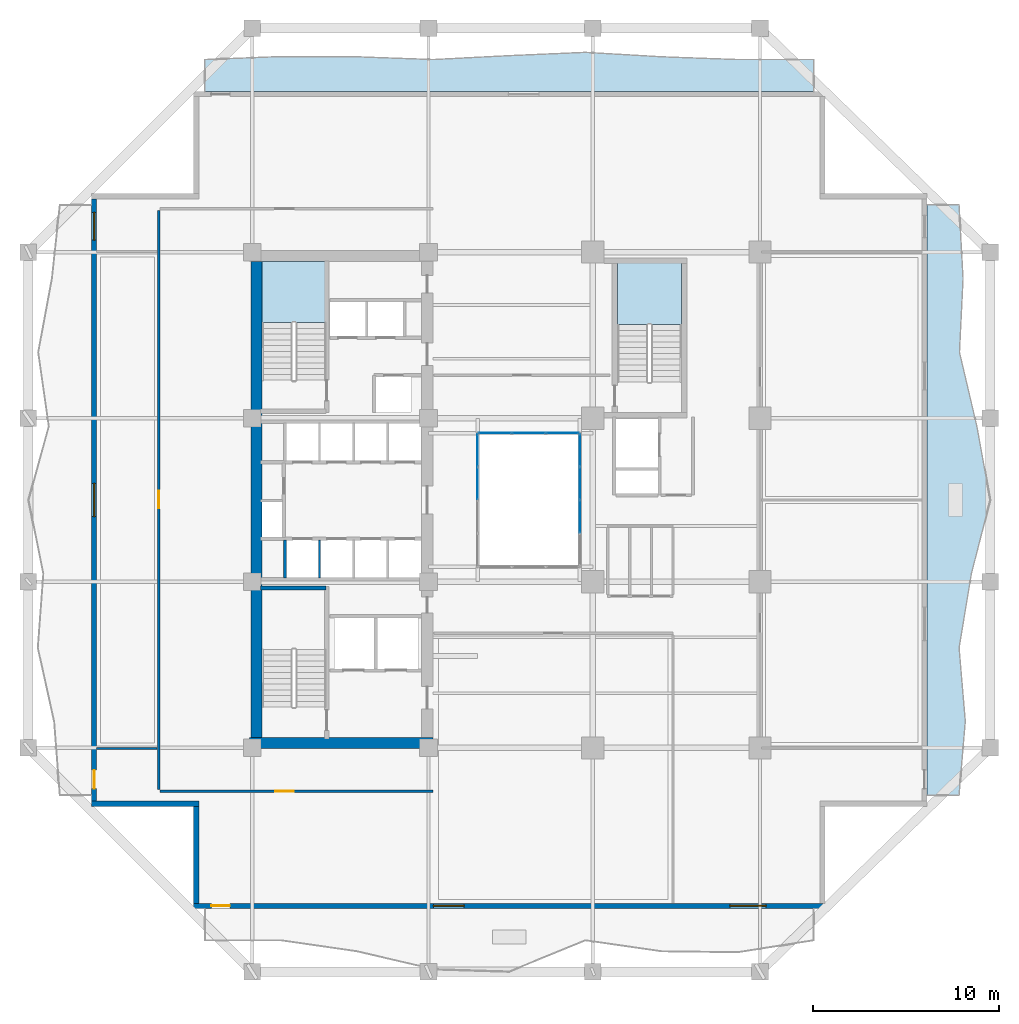
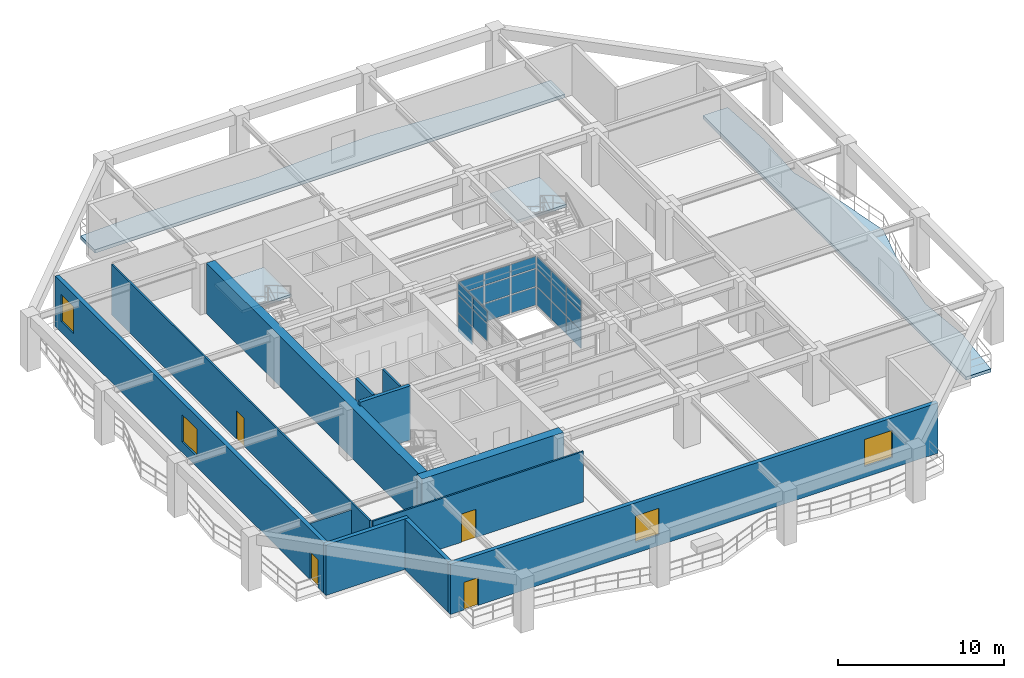
# One storey, part 6 of 17: 23 plates, 12 walls, 4 doors, 4 slabs, 4 windows, 8 openings, 5 elements without a shape of their own.
"""IFC4 building model written with IfcOpenShell, lengths in metres."""

from ifc_helpers import new_model, si_unit, direction, frame, frame_2d, origin, origin_2d, place, context, subcontext, project, spatial, polyline, rectangle, outline, extrude, material, layer, layer_set, type_object, element, fill, aggregate, save


model = new_model("IFC4")

# Units and contexts
model_context = context("Model", 3, precision=1e-05, world=origin(), true_north=direction((0.0, 1.0)))
body_context = subcontext(model_context, "Body", "Model", "MODEL_VIEW")
ifc_project = project(units=[si_unit("LENGTHUNIT", "METRE"), si_unit("AREAUNIT", "SQUARE_METRE"), si_unit("VOLUMEUNIT", "CUBIC_METRE"), si_unit("PLANEANGLEUNIT", "RADIAN"), si_unit("MASSUNIT", "GRAM", prefix="KILO")], contexts=[model_context])

# Site, building, storey
site_placement = place(None, origin())
site = spatial("IfcSite", under=ifc_project, at=site_placement, CompositionType="ELEMENT")
building_placement = place(site_placement, origin())
building = spatial("IfcBuilding", under=site, at=building_placement, Name="Kundavana Baori Tower", CompositionType="ELEMENT")
storey_placement = place(building_placement, frame((0.0, 0.0, 30.0)))
storey = spatial("IfcBuildingStorey", under=building, at=storey_placement, Name="L06", CompositionType="ELEMENT", Elevation=30.0)

# Curtain wall, plates
ifc_material_1 = material(Name="Thermally Broken Anodised Aluminium Framing", Category="aluminium")
ifc_layer_1 = layer(ifc_material_1, 0.18994140625, Name="CW-SYS-3")
ifc_layer_set_1 = layer_set([ifc_layer_1], Name="Thermally Broken Anodised Aluminium Framing")
curtain_wall_type = type_object("IfcCurtainWallType", Name="CW-SYS-3", PredefinedType="NOTDEFINED", material=ifc_layer_set_1)
curtain_wall_1_placement = place(storey_placement, origin())
curtain_wall_1 = element("IfcCurtainWall", 1, at=curtain_wall_1_placement, inside=storey, type_object=curtain_wall_type, Name="L06 Atrium Glazed Curtain Wall E", PredefinedType="NOTDEFINED")
ifc_material_2 = material(Name="Double-Glazed Solar-Control Low-E Insulated Glass", Category="glass")
ifc_layer_2 = layer(ifc_material_2, 0.028076171875, Name="CW-PNL-GLS28")
ifc_layer_set_2 = layer_set([ifc_layer_2], Name="Double-Glazed Solar-Control Low-E Insulated Glass")
plate_type = type_object("IfcPlateType", Name="CW-PNL-GLS28", PredefinedType="CURTAIN_PANEL", material=ifc_layer_set_2)
plate_1_placement = place(storey_placement, frame((33.10009765625, 27.699951171875, 0.06494140625), z_axis=(0.0, 0.0, 1.0), x_axis=(0.0, 1.0, 0.0)))
plate_1 = element("IfcPlate", 2, at=plate_1_placement, type_object=plate_type, Name="CW3 panel 2.1", PredefinedType="CURTAIN_PANEL", context=body_context, shape_type="SweptSolid", body=[
    extrude(rectangle(XDim=1.735107421875, YDim=0.028076171875, at=origin_2d()), origin(), (0.0, 0.0, 1.0), 1.316162109375),
])
plate_2_placement = place(storey_placement, frame((33.10009765625, 27.699951171875, 1.4462890625), z_axis=(0.0, 0.0, 1.0), x_axis=(0.0, 1.0, 0.0)))
plate_2 = element("IfcPlate", 3, at=plate_2_placement, type_object=plate_type, Name="CW3 panel 2.2", PredefinedType="CURTAIN_PANEL", context=body_context, shape_type="SweptSolid", body=[
    extrude(rectangle(XDim=1.735107421875, YDim=0.028076171875, at=origin_2d()), origin(), (0.0, 0.0, 1.0), 1.274169921875),
])
plate_3_placement = place(storey_placement, frame((33.10009765625, 27.699951171875, 2.785400390625), z_axis=(0.0, 0.0, 1.0), x_axis=(0.0, 1.0, 0.0)))
plate_3 = element("IfcPlate", 4, at=plate_3_placement, type_object=plate_type, Name="CW3 panel 2.3", PredefinedType="CURTAIN_PANEL", context=body_context, shape_type="SweptSolid", body=[
    extrude(rectangle(XDim=1.735107421875, YDim=0.028076171875, at=origin_2d()), origin(), (0.0, 0.0, 1.0), 0.86962890625),
])
plate_4_placement = place(storey_placement, frame((33.10009765625, 29.5, 0.06494140625), z_axis=(0.0, 0.0, 1.0), x_axis=(0.0, 1.0, 0.0)))
plate_4 = element("IfcPlate", 5, at=plate_4_placement, type_object=plate_type, Name="CW3 panel 3.1", PredefinedType="CURTAIN_PANEL", context=body_context, shape_type="SweptSolid", body=[
    extrude(rectangle(XDim=1.735107421875, YDim=0.028076171875, at=origin_2d()), origin(), (0.0, 0.0, 1.0), 1.316162109375),
])
plate_5_placement = place(storey_placement, frame((33.10009765625, 29.5, 1.4462890625), z_axis=(0.0, 0.0, 1.0), x_axis=(0.0, 1.0, 0.0)))
plate_5 = element("IfcPlate", 6, at=plate_5_placement, type_object=plate_type, Name="CW3 panel 3.2", PredefinedType="CURTAIN_PANEL", context=body_context, shape_type="SweptSolid", body=[
    extrude(rectangle(XDim=1.735107421875, YDim=0.028076171875, at=origin_2d()), origin(), (0.0, 0.0, 1.0), 1.274169921875),
])
plate_6_placement = place(storey_placement, frame((33.10009765625, 29.5, 2.785400390625), z_axis=(0.0, 0.0, 1.0), x_axis=(0.0, 1.0, 0.0)))
plate_6 = element("IfcPlate", 7, at=plate_6_placement, type_object=plate_type, Name="CW3 panel 3.3", PredefinedType="CURTAIN_PANEL", context=body_context, shape_type="SweptSolid", body=[
    extrude(rectangle(XDim=1.735107421875, YDim=0.028076171875, at=origin_2d()), origin(), (0.0, 0.0, 1.0), 0.86962890625),
])
plate_7_placement = place(storey_placement, frame((33.10009765625, 31.28369140625, 0.06494140625), z_axis=(0.0, 0.0, 1.0), x_axis=(0.0, 1.0, 0.0)))
plate_7 = element("IfcPlate", 8, at=plate_7_placement, type_object=plate_type, Name="CW3 panel 4.1", PredefinedType="CURTAIN_PANEL", context=body_context, shape_type="SweptSolid", body=[
    extrude(rectangle(XDim=1.702392578125, YDim=0.028076171875, at=origin_2d()), origin(), (0.0, 0.0, 1.0), 1.316162109375),
])
plate_8_placement = place(storey_placement, frame((33.10009765625, 31.28369140625, 1.4462890625), z_axis=(0.0, 0.0, 1.0), x_axis=(0.0, 1.0, 0.0)))
plate_8 = element("IfcPlate", 9, at=plate_8_placement, type_object=plate_type, Name="CW3 panel 4.2", PredefinedType="CURTAIN_PANEL", context=body_context, shape_type="SweptSolid", body=[
    extrude(rectangle(XDim=1.702392578125, YDim=0.028076171875, at=origin_2d()), origin(), (0.0, 0.0, 1.0), 1.274169921875),
])
plate_9_placement = place(storey_placement, frame((33.10009765625, 31.28369140625, 2.785400390625), z_axis=(0.0, 0.0, 1.0), x_axis=(0.0, 1.0, 0.0)))
plate_9 = element("IfcPlate", 10, at=plate_9_placement, type_object=plate_type, Name="CW3 panel 4.3", PredefinedType="CURTAIN_PANEL", context=body_context, shape_type="SweptSolid", body=[
    extrude(rectangle(XDim=1.702392578125, YDim=0.028076171875, at=origin_2d()), origin(), (0.0, 0.0, 1.0), 0.86962890625),
])
aggregate(curtain_wall_1, [plate_1, plate_2, plate_3, plate_4, plate_5, plate_6, plate_7, plate_8, plate_9])

curtain_wall_2_placement = place(storey_placement, origin())
curtain_wall_2 = element("IfcCurtainWall", 11, at=curtain_wall_2_placement, inside=storey, type_object=curtain_wall_type, Name="L06 Atrium Glazed Curtain Wall N", PredefinedType="NOTDEFINED")
plate_10_placement = place(storey_placement, frame((32.1669921875, 32.199951171875, 0.06494140625), z_axis=(0.0, 0.0, 1.0), x_axis=(-1.0, 0.0, 0.0)))
plate_10 = element("IfcPlate", 12, at=plate_10_placement, type_object=plate_type, Name="CW3 panel 1.1", PredefinedType="CURTAIN_PANEL", context=body_context, shape_type="SweptSolid", body=[
    extrude(rectangle(XDim=1.73583984375, YDim=0.028076171875, at=origin_2d()), origin(), (0.0, 0.0, 1.0), 1.316162109375),
])
plate_11_placement = place(storey_placement, frame((32.1669921875, 32.199951171875, 1.4462890625), z_axis=(0.0, 0.0, 1.0), x_axis=(-1.0, 0.0, 0.0)))
plate_11 = element("IfcPlate", 13, at=plate_11_placement, type_object=plate_type, Name="CW3 panel 1.2", PredefinedType="CURTAIN_PANEL", context=body_context, shape_type="SweptSolid", body=[
    extrude(rectangle(XDim=1.73583984375, YDim=0.028076171875, at=origin_2d()), origin(), (0.0, 0.0, 1.0), 1.274169921875),
])
plate_12_placement = place(storey_placement, frame((32.1669921875, 32.199951171875, 2.785400390625), z_axis=(0.0, 0.0, 1.0), x_axis=(-1.0, 0.0, 0.0)))
plate_12 = element("IfcPlate", 14, at=plate_12_placement, type_object=plate_type, Name="CW3 panel 1.3", PredefinedType="CURTAIN_PANEL", context=body_context, shape_type="SweptSolid", body=[
    extrude(rectangle(XDim=1.73583984375, YDim=0.028076171875, at=origin_2d()), origin(), (0.0, 0.0, 1.0), 0.86962890625),
])
plate_13_placement = place(storey_placement, frame((30.35009765625, 32.199951171875, 0.06494140625), z_axis=(0.0, 0.0, 1.0), x_axis=(-1.0, 0.0, 0.0)))
plate_13 = element("IfcPlate", 15, at=plate_13_placement, type_object=plate_type, Name="CW3 panel 2.1", PredefinedType="CURTAIN_PANEL", context=body_context, shape_type="SweptSolid", body=[
    extrude(rectangle(XDim=1.768310546875, YDim=0.028076171875, at=origin_2d()), origin(), (0.0, 0.0, 1.0), 1.316162109375),
])
plate_14_placement = place(storey_placement, frame((30.35009765625, 32.199951171875, 1.4462890625), z_axis=(0.0, 0.0, 1.0), x_axis=(-1.0, 0.0, 0.0)))
plate_14 = element("IfcPlate", 16, at=plate_14_placement, type_object=plate_type, Name="CW3 panel 2.2", PredefinedType="CURTAIN_PANEL", context=body_context, shape_type="SweptSolid", body=[
    extrude(rectangle(XDim=1.768310546875, YDim=0.028076171875, at=origin_2d()), origin(), (0.0, 0.0, 1.0), 1.274169921875),
])
plate_15_placement = place(storey_placement, frame((30.35009765625, 32.199951171875, 2.785400390625), z_axis=(0.0, 0.0, 1.0), x_axis=(-1.0, 0.0, 0.0)))
plate_15 = element("IfcPlate", 17, at=plate_15_placement, type_object=plate_type, Name="CW3 panel 2.3", PredefinedType="CURTAIN_PANEL", context=body_context, shape_type="SweptSolid", body=[
    extrude(rectangle(XDim=1.768310546875, YDim=0.028076171875, at=origin_2d()), origin(), (0.0, 0.0, 1.0), 0.86962890625),
])
plate_16_placement = place(storey_placement, frame((28.532958984375, 32.199951171875, 0.06494140625), z_axis=(0.0, 0.0, 1.0), x_axis=(-1.0, 0.0, 0.0)))
plate_16 = element("IfcPlate", 18, at=plate_16_placement, type_object=plate_type, Name="CW3 panel 3.1", PredefinedType="CURTAIN_PANEL", context=body_context, shape_type="SweptSolid", body=[
    extrude(rectangle(XDim=1.73583984375, YDim=0.028076171875, at=origin_2d()), origin(), (0.0, 0.0, 1.0), 1.316162109375),
])
plate_17_placement = place(storey_placement, frame((28.532958984375, 32.199951171875, 1.4462890625), z_axis=(0.0, 0.0, 1.0), x_axis=(-1.0, 0.0, 0.0)))
plate_17 = element("IfcPlate", 19, at=plate_17_placement, type_object=plate_type, Name="CW3 panel 3.2", PredefinedType="CURTAIN_PANEL", context=body_context, shape_type="SweptSolid", body=[
    extrude(rectangle(XDim=1.73583984375, YDim=0.028076171875, at=origin_2d()), origin(), (0.0, 0.0, 1.0), 1.274169921875),
])
plate_18_placement = place(storey_placement, frame((28.532958984375, 32.199951171875, 2.785400390625), z_axis=(0.0, 0.0, 1.0), x_axis=(-1.0, 0.0, 0.0)))
plate_18 = element("IfcPlate", 20, at=plate_18_placement, type_object=plate_type, Name="CW3 panel 3.3", PredefinedType="CURTAIN_PANEL", context=body_context, shape_type="SweptSolid", body=[
    extrude(rectangle(XDim=1.73583984375, YDim=0.028076171875, at=origin_2d()), origin(), (0.0, 0.0, 1.0), 0.86962890625),
])
aggregate(curtain_wall_2, [plate_10, plate_11, plate_12, plate_13, plate_14, plate_15, plate_16, plate_17, plate_18])

curtain_wall_3_placement = place(storey_placement, origin())
curtain_wall_3 = element("IfcCurtainWall", 21, at=curtain_wall_3_placement, inside=storey, type_object=curtain_wall_type, Name="L06 Atrium Glazed Curtain Wall W", PredefinedType="NOTDEFINED")
plate_19_placement = place(storey_placement, frame((27.60009765625, 31.28369140625, 0.06494140625), z_axis=(0.0, 0.0, 1.0), x_axis=(0.0, -1.0, 0.0)))
plate_19 = element("IfcPlate", 22, at=plate_19_placement, type_object=plate_type, Name="CW3 panel 1.1", PredefinedType="CURTAIN_PANEL", context=body_context, shape_type="SweptSolid", body=[
    extrude(rectangle(XDim=1.702392578125, YDim=0.028076171875, at=origin_2d()), origin(), (0.0, 0.0, 1.0), 1.316162109375),
])
plate_20_placement = place(storey_placement, frame((27.60009765625, 31.28369140625, 1.4462890625), z_axis=(0.0, 0.0, 1.0), x_axis=(0.0, -1.0, 0.0)))
plate_20 = element("IfcPlate", 23, at=plate_20_placement, type_object=plate_type, Name="CW3 panel 1.2", PredefinedType="CURTAIN_PANEL", context=body_context, shape_type="SweptSolid", body=[
    extrude(rectangle(XDim=1.702392578125, YDim=0.028076171875, at=origin_2d()), origin(), (0.0, 0.0, 1.0), 1.274169921875),
])
plate_21_placement = place(storey_placement, frame((27.60009765625, 31.28369140625, 2.785400390625), z_axis=(0.0, 0.0, 1.0), x_axis=(0.0, -1.0, 0.0)))
plate_21 = element("IfcPlate", 24, at=plate_21_placement, type_object=plate_type, Name="CW3 panel 1.3", PredefinedType="CURTAIN_PANEL", context=body_context, shape_type="SweptSolid", body=[
    extrude(rectangle(XDim=1.702392578125, YDim=0.028076171875, at=origin_2d()), origin(), (0.0, 0.0, 1.0), 0.86962890625),
])
plate_22_placement = place(storey_placement, frame((27.60009765625, 29.5, 1.4462890625), z_axis=(0.0, 0.0, 1.0), x_axis=(0.0, -1.0, 0.0)))
plate_22 = element("IfcPlate", 25, at=plate_22_placement, type_object=plate_type, Name="CW3 panel 2.2", PredefinedType="CURTAIN_PANEL", context=body_context, shape_type="SweptSolid", body=[
    extrude(rectangle(XDim=1.735107421875, YDim=0.028076171875, at=origin_2d()), origin(), (0.0, 0.0, 1.0), 1.274169921875),
])
plate_23_placement = place(storey_placement, frame((27.60009765625, 29.5, 2.785400390625), z_axis=(0.0, 0.0, 1.0), x_axis=(0.0, -1.0, 0.0)))
plate_23 = element("IfcPlate", 26, at=plate_23_placement, type_object=plate_type, Name="CW3 panel 2.3", PredefinedType="CURTAIN_PANEL", context=body_context, shape_type="SweptSolid", body=[
    extrude(rectangle(XDim=1.735107421875, YDim=0.028076171875, at=origin_2d()), origin(), (0.0, 0.0, 1.0), 0.86962890625),
])
aggregate(curtain_wall_3, [plate_19, plate_20, plate_21, plate_22, plate_23])

# Stair, slab
ifc_material_3 = material(Name="Concrete C40/50", Category="concrete")
stair_type = type_object("IfcStairType", Name="STR-DOG-1650", PredefinedType="HALF_TURN_STAIR", material=ifc_material_3)
stair_1_placement = place(storey_placement, origin())
stair_1 = element("IfcStair", 27, at=stair_1_placement, inside=storey, type_object=stair_type, Name="L06 Protected Exit Stair ST2", PredefinedType="HALF_TURN_STAIR")
ifc_material_4 = material(Name="Concrete C40/50", Category="concrete")
ifc_layer_3 = layer(ifc_material_4, 0.199951171875, Name="SLB-LND-200")
ifc_layer_set_3 = layer_set([ifc_layer_3], Name="Concrete C40/50")
slab_type_1 = type_object("IfcSlabType", Name="SLB-LND-200", PredefinedType="LANDING", material=ifc_layer_set_3)
slab_1_placement = place(storey_placement, frame((0.0, 0.0, 1.800048828125)))
slab_1 = element("IfcSlab", 28, at=slab_1_placement, type_object=slab_type_1, Name="ST2 landing 1", PredefinedType="LANDING", context=body_context, shape_type="SweptSolid", body=[
    extrude(outline(polyline([(19.43994140625, 38.14990234375), (19.43994140625, 41.449951171875), (15.97998046875, 41.449951171875), (15.97998046875, 38.14990234375), (19.43994140625, 38.14990234375)])), origin(), (0.0, 0.0, 1.0), 0.199951171875),
])
aggregate(stair_1, [slab_1])

stair_2_placement = place(storey_placement, origin())
stair_2 = element("IfcStair", 29, at=stair_2_placement, inside=storey, type_object=stair_type, Name="L06 Protected Exit Stair ST3", PredefinedType="HALF_TURN_STAIR")
slab_2_placement = place(storey_placement, frame((0.0, 0.0, 1.800048828125)))
slab_2 = element("IfcSlab", 30, at=slab_2_placement, type_object=slab_type_1, Name="ST3 landing 1", PredefinedType="LANDING", context=body_context, shape_type="SweptSolid", body=[
    extrude(outline(polyline([(38.580078125, 38.050048828125), (38.580078125, 41.35009765625), (35.1201171875, 41.35009765625), (35.1201171875, 38.050048828125), (38.580078125, 38.050048828125)])), origin(), (0.0, 0.0, 1.0), 0.199951171875),
])
aggregate(stair_2, [slab_2])

# Slabs
ifc_material_5 = material(Name="Concrete C40/50", Category="concrete")
ifc_layer_4 = layer(ifc_material_5, 0.239990234375, Name="SLB-LOG-240")
ifc_layer_set_4 = layer_set([ifc_layer_4], Name="Concrete C40/50")
slab_type_2 = type_object("IfcSlabType", Name="SLB-LOG-240", PredefinedType="FLOOR", material=ifc_layer_set_4)
slab_3_placement = place(storey_placement, frame((0.0, 0.0, -0.239990234375)))
element("IfcSlab", 31, at=slab_3_placement, inside=storey, type_object=slab_type_2, Name="L06 Planted Loggia Balcony Slab E", PredefinedType="FLOOR", context=body_context, shape_type="SweptSolid", body=[
    extrude(outline(polyline([(51.800048828125, 12.699951171875), (51.800048828125, 44.5), (53.52001953125, 44.5), (53.736083984375, 40.52490234375), (53.5439453125, 36.550048828125), (54.47998046875, 32.574951171875), (55.199951171875, 28.60009765625), (54.18505859375, 24.625), (53.52294921875, 20.64990234375), (53.85693359375, 16.675048828125), (53.52001953125, 12.699951171875), (51.800048828125, 12.699951171875)])), origin(), (0.0, 0.0, 1.0), 0.239990234375),
])
slab_4_placement = place(storey_placement, frame((0.0, 0.0, -0.239990234375)))
element("IfcSlab", 32, at=slab_4_placement, inside=storey, type_object=slab_type_2, Name="L06 Planted Loggia Balcony Slab N", PredefinedType="FLOOR", context=body_context, shape_type="SweptSolid", body=[
    extrude(outline(polyline([(45.699951171875, 50.60009765625), (12.89990234375, 50.60009765625), (12.89990234375, 52.320068359375), (17.0, 52.48095703125), (21.10009765625, 52.468017578125), (25.199951171875, 52.320068359375), (29.300048828125, 52.530029296875), (33.39990234375, 52.7080078125), (37.5, 52.468017578125), (41.60009765625, 52.320068359375), (45.699951171875, 52.320068359375), (45.699951171875, 50.60009765625)])), origin(), (0.0, 0.0, 1.0), 0.239990234375),
])

# Walls
ifc_material_6 = material(Name="Concrete C50/60", Category="concrete")
ifc_layer_5 = layer(ifc_material_6, 0.39990234375, Name="WL-CORE-400")
ifc_layer_set_5 = layer_set([ifc_layer_5], Name="Concrete C50/60")
wall_type_1 = type_object("IfcWallType", Name="WL-CORE-400", PredefinedType="SHEAR", material=ifc_layer_set_5)
wall_1_placement = place(storey_placement, frame((15.89990234375, 23.860107421875, 0.0), z_axis=(0.0, 0.0, 1.0), x_axis=(1.0, 0.0, 0.0)))
element("IfcWall", 33, at=wall_1_placement, inside=storey, type_object=wall_type_1, Name="WL-L06-ST1-N", PredefinedType="SHEAR", context=body_context, shape_type="SweptSolid", body=[
    extrude(rectangle(XDim=3.52001953125, YDim=0.239990234375, at=frame_2d((1.760009765625, 0.0))), origin(), (0.0, 0.0, 1.0), 4.0),
])
ifc_material_7 = material(Name="Concrete C60/75", Category="concrete")
ifc_layer_6 = layer(ifc_material_7, 0.60009765625, Name="WL-CORE-600")
ifc_layer_set_6 = layer_set([ifc_layer_6], Name="Concrete C60/75")
wall_type_2 = type_object("IfcWallType", Name="WL-CORE-600", PredefinedType="SHEAR", material=ifc_layer_set_6)
wall_2_placement = place(storey_placement, frame((15.300048828125, 15.510009765625, 0.0), z_axis=(0.0, 0.0, 1.0), x_axis=(1.0, 0.0, 0.0)))
element("IfcWall", 34, at=wall_2_placement, inside=storey, type_object=wall_type_2, Name="L06 Offset Core South Shear Wall", PredefinedType="SHEAR", context=body_context, shape_type="SweptSolid", body=[
    extrude(rectangle(XDim=9.8798828125, YDim=0.60009765625, at=frame_2d((4.93994140625, 0.0))), origin(), (0.0, 0.0, 1.0), 3.719970703125),
])
wall_3_placement = place(storey_placement, frame((15.68994140625, 15.81005859375, 0.0), z_axis=(0.0, 0.0, 1.0), x_axis=(0.0, 1.0, 0.0)))
element("IfcWall", 35, at=wall_3_placement, inside=storey, type_object=wall_type_2, Name="L06 Offset Core West Shear Wall", PredefinedType="SHEAR", context=body_context, shape_type="SweptSolid", body=[
    extrude(rectangle(XDim=25.6298828125, YDim=0.60009765625, at=frame_2d((12.81494140625, 0.0))), origin(), (0.0, 0.0, 1.0), 3.719970703125),
])

# Wall, openings, door, windows
ifc_material_8 = material(Name="Red-Buff Dholpur Sandstone Cladding on Concrete C40/50", Category="masonry")
ifc_layer_7 = layer(ifc_material_8, 0.280029296875, Name="WL-EXT-SAND-280")
ifc_layer_set_7 = layer_set([ifc_layer_7], Name="Red-Buff Dholpur Sandstone Cladding on Concrete C40/50")
wall_type_3 = type_object("IfcWallType", Name="WL-EXT-SAND-280", PredefinedType="STANDARD", material=ifc_layer_set_7)
wall_4_placement = place(storey_placement, frame((12.300048828125, 6.739990234375, 0.0), z_axis=(0.0, 0.0, 1.0), x_axis=(1.0, 0.0, 0.0)))
wall_4 = element("IfcWall", 36, at=wall_4_placement, inside=storey, type_object=wall_type_3, Name="L06 Exterior Insulated Facade Wall 01", PredefinedType="STANDARD", context=body_context, shape_type="SweptSolid", body=[
    extrude(rectangle(XDim=34.0, YDim=0.280029296875, at=frame_2d((17.0, 0.0))), origin(), (0.0, 0.0, 1.0), 3.719970703125),
])
opening_1_placement = place(wall_4_placement, frame((0.949951171875, 0.0, 0.0)))
opening_1 = element("IfcOpeningElement", 37, at=opening_1_placement, cuts=wall_4, Name="Opening BD-1", PredefinedType="OPENING", context=body_context, shape_type="SweptSolid", body=[
    extrude(rectangle(XDim=1.0, YDim=2.050048828125, at=frame_2d((0.5, 1.02490234375))), frame((0.0, 0.14990234375, 0.0), z_axis=(0.0, -1.0, 0.0), x_axis=(1.0, 0.0, 0.0)), (0.0, 0.0, 1.0), 0.300048828125),
])
opening_2_placement = place(wall_4_placement, frame((12.9150390625, 0.0, 0.800048828125)))
opening_2 = element("IfcOpeningElement", 38, at=opening_2_placement, cuts=wall_4, Name="Opening W-08", PredefinedType="OPENING", context=body_context, shape_type="SweptSolid", body=[
    extrude(rectangle(XDim=1.64990234375, YDim=1.949951171875, at=frame_2d((0.824951171875, 0.97509765625))), frame((0.0, 0.14990234375, 0.0), z_axis=(0.0, -1.0, 0.0), x_axis=(1.0, 0.0, 0.0)), (0.0, 0.0, 1.0), 0.300048828125),
])
opening_3_placement = place(wall_4_placement, frame((28.8798828125, 0.0, 0.800048828125)))
opening_3 = element("IfcOpeningElement", 39, at=opening_3_placement, cuts=wall_4, Name="Opening W-09", PredefinedType="OPENING", context=body_context, shape_type="SweptSolid", body=[
    extrude(rectangle(XDim=1.949951171875, YDim=2.0, at=frame_2d((0.97509765625, 1.0))), frame((0.0, 0.14990234375, 0.0), z_axis=(0.0, -1.0, 0.0), x_axis=(1.0, 0.0, 0.0)), (0.0, 0.0, 1.0), 0.300048828125),
])
ifc_material_9 = material(Name="Architectural Patinated Bronze Metalwork")
door_type_1 = type_object("IfcDoorType", Name="DR-EXT-LOG-1000", OperationType="NOTDEFINED", PredefinedType="DOOR", material=ifc_material_9)
door_1_placement = place(opening_1_placement, frame((1.0, 0.0, 0.0), z_axis=(0.0, 0.0, 1.0), x_axis=(-1.0, 0.0, 0.0)))
door_1 = element("IfcDoor", 40, at=door_1_placement, inside=storey, type_object=door_type_1, Name="L06 Loggia Balcony Access Door S", OperationType="SINGLE_SWING_LEFT", OverallHeight=2.050048828125, OverallWidth=1.0, PredefinedType="DOOR", context=body_context, shape_type="SweptSolid", body=[
    extrude(rectangle(XDim=1.0, YDim=2.050048828125, at=frame_2d((0.5, 1.02490234375))), frame((0.0, 0.02490234375, 0.0), z_axis=(0.0, -1.0, 0.0), x_axis=(1.0, 0.0, 0.0)), (0.0, 0.0, 1.0), 0.050048828125),
])
fill(opening_1, door_1)
ifc_material_10 = material(Name="Double-Glazed Solar-Control Low-E Insulated Glass", Category="glass")
window_type_1 = type_object("IfcWindowType", Name="WIN-LOG-1650x1950", PartitioningType="SINGLE_PANEL", PredefinedType="WINDOW", material=ifc_material_10)
window_1_placement = place(opening_2_placement, origin())
window_1 = element("IfcWindow", 41, at=window_1_placement, inside=storey, type_object=window_type_1, Name="L06 Recessed Loggia Window S-1", OverallHeight=1.949951171875, OverallWidth=1.64990234375, PartitioningType="SINGLE_PANEL", PredefinedType="WINDOW", context=body_context, shape_type="SweptSolid", body=[
    extrude(rectangle(XDim=1.64990234375, YDim=1.949951171875, at=frame_2d((0.824951171875, 0.97509765625))), frame((0.0, 0.030029296875, 0.0), z_axis=(0.0, -1.0, 0.0), x_axis=(1.0, 0.0, 0.0)), (0.0, 0.0, 1.0), 0.06005859375),
])
fill(opening_2, window_1)
ifc_material_11 = material(Name="Double-Glazed Solar-Control Low-E Insulated Glass", Category="glass")
window_type_2 = type_object("IfcWindowType", Name="WIN-LOG-1950x2000", PartitioningType="SINGLE_PANEL", PredefinedType="WINDOW", material=ifc_material_11)
window_2_placement = place(opening_3_placement, origin())
window_2 = element("IfcWindow", 42, at=window_2_placement, inside=storey, type_object=window_type_2, Name="L06 Recessed Loggia Window S-2", OverallHeight=2.0, OverallWidth=1.949951171875, PartitioningType="SINGLE_PANEL", PredefinedType="WINDOW", context=body_context, shape_type="SweptSolid", body=[
    extrude(rectangle(XDim=1.949951171875, YDim=2.0, at=frame_2d((0.97509765625, 1.0))), frame((0.0, 0.030029296875, 0.0), z_axis=(0.0, -1.0, 0.0), x_axis=(1.0, 0.0, 0.0)), (0.0, 0.0, 1.0), 0.06005859375),
])
fill(opening_3, window_2)

wall_5_placement = place(storey_placement, frame((6.93994140625, 44.820068359375, 0.0), z_axis=(0.0, 0.0, 1.0), x_axis=(0.0, -1.0, 0.0)))
wall_5 = element("IfcWall", 43, at=wall_5_placement, inside=storey, type_object=wall_type_3, Name="L06 Exterior Insulated Facade Wall 10", PredefinedType="STANDARD", context=body_context, shape_type="SweptSolid", body=[
    extrude(rectangle(XDim=32.440185546875, YDim=0.280029296875, at=frame_2d((16.22021484375, 0.0))), origin(), (0.0, 0.0, 1.0), 3.719970703125),
])
opening_4_placement = place(wall_5_placement, frame((30.77001953125, 0.0, 0.0)))
opening_4 = element("IfcOpeningElement", 44, at=opening_4_placement, cuts=wall_5, Name="Opening BD-1", PredefinedType="OPENING", context=body_context, shape_type="SweptSolid", body=[
    extrude(rectangle(XDim=1.0, YDim=2.050048828125, at=frame_2d((0.5, 1.02490234375))), frame((0.0, 0.14990234375, 0.0), z_axis=(0.0, -1.0, 0.0), x_axis=(1.0, 0.0, 0.0)), (0.0, 0.0, 1.0), 0.300048828125),
])
opening_5_placement = place(wall_5_placement, frame((15.320068359375, 0.0, 0.800048828125)))
opening_5 = element("IfcOpeningElement", 45, at=opening_5_placement, cuts=wall_5, Name="Opening W-01", PredefinedType="OPENING", context=body_context, shape_type="SweptSolid", body=[
    extrude(rectangle(XDim=1.800048828125, YDim=2.0, at=frame_2d((0.89990234375, 1.0))), frame((0.0, 0.14990234375, 0.0), z_axis=(0.0, -1.0, 0.0), x_axis=(1.0, 0.0, 0.0)), (0.0, 0.0, 1.0), 0.300048828125),
])
opening_6_placement = place(wall_5_placement, frame((0.72509765625, 0.0, 0.800048828125)))
opening_6 = element("IfcOpeningElement", 46, at=opening_6_placement, cuts=wall_5, Name="Opening W-02", PredefinedType="OPENING", context=body_context, shape_type="SweptSolid", body=[
    extrude(rectangle(XDim=1.5, YDim=2.0, at=frame_2d((0.75, 1.0))), frame((0.0, 0.14990234375, 0.0), z_axis=(0.0, -1.0, 0.0), x_axis=(1.0, 0.0, 0.0)), (0.0, 0.0, 1.0), 0.300048828125),
])
door_2_placement = place(opening_4_placement, frame((1.0, 0.0, 0.0), z_axis=(0.0, 0.0, 1.0), x_axis=(-1.0, 0.0, 0.0)))
door_2 = element("IfcDoor", 47, at=door_2_placement, inside=storey, type_object=door_type_1, Name="L06 Loggia Balcony Access Door W", OperationType="SINGLE_SWING_RIGHT", OverallHeight=2.050048828125, OverallWidth=1.0, PredefinedType="DOOR", context=body_context, shape_type="SweptSolid", body=[
    extrude(rectangle(XDim=1.0, YDim=2.050048828125, at=frame_2d((0.5, 1.02490234375))), frame((0.0, 0.02490234375, 0.0), z_axis=(0.0, -1.0, 0.0), x_axis=(1.0, 0.0, 0.0)), (0.0, 0.0, 1.0), 0.050048828125),
])
fill(opening_4, door_2)
ifc_material_12 = material(Name="Double-Glazed Solar-Control Low-E Insulated Glass", Category="glass")
window_type_3 = type_object("IfcWindowType", Name="WIN-LOG-1500x2000", PartitioningType="SINGLE_PANEL", PredefinedType="WINDOW", material=ifc_material_12)
window_3_placement = place(opening_6_placement, origin())
window_3 = element("IfcWindow", 48, at=window_3_placement, inside=storey, type_object=window_type_3, Name="L06 Recessed Loggia Window W-3", OverallHeight=2.0, OverallWidth=1.5, PartitioningType="SINGLE_PANEL", PredefinedType="WINDOW", context=body_context, shape_type="SweptSolid", body=[
    extrude(rectangle(XDim=1.5, YDim=2.0, at=frame_2d((0.75, 1.0))), frame((0.0, 0.030029296875, 0.0), z_axis=(0.0, -1.0, 0.0), x_axis=(1.0, 0.0, 0.0)), (0.0, 0.0, 1.0), 0.06005859375),
])
fill(opening_6, window_3)
ifc_material_13 = material(Name="Double-Glazed Solar-Control Low-E Insulated Glass", Category="glass")
window_type_4 = type_object("IfcWindowType", Name="WIN-LOG-1800x2000", PartitioningType="SINGLE_PANEL", PredefinedType="WINDOW", material=ifc_material_13)
window_4_placement = place(opening_5_placement, origin())
window_4 = element("IfcWindow", 49, at=window_4_placement, inside=storey, type_object=window_type_4, Name="L06 Recessed Loggia Window W-2", OverallHeight=2.0, OverallWidth=1.800048828125, PartitioningType="SINGLE_PANEL", PredefinedType="WINDOW", context=body_context, shape_type="SweptSolid", body=[
    extrude(rectangle(XDim=1.800048828125, YDim=2.0, at=frame_2d((0.89990234375, 1.0))), frame((0.0, 0.030029296875, 0.0), z_axis=(0.0, -1.0, 0.0), x_axis=(1.0, 0.0, 0.0)), (0.0, 0.0, 1.0), 0.06005859375),
])
fill(opening_5, window_4)

# Walls
wall_6_placement = place(storey_placement, frame((6.800048828125, 12.239990234375, 0.0), z_axis=(0.0, 0.0, 1.0), x_axis=(1.0, 0.0, 0.0)))
element("IfcWall", 50, at=wall_6_placement, inside=storey, type_object=wall_type_3, Name="L06 Exterior Insulated Facade Wall 11", PredefinedType="STANDARD", context=body_context, shape_type="SweptSolid", body=[
    extrude(rectangle(XDim=5.780029296875, YDim=0.280029296875, at=frame_2d((2.89013671875, 0.0))), origin(), (0.0, 0.0, 1.0), 3.719970703125),
])
wall_7_placement = place(storey_placement, frame((12.43994140625, 12.10009765625, 0.0), z_axis=(0.0, 0.0, 1.0), x_axis=(0.0, -1.0, 0.0)))
element("IfcWall", 51, at=wall_7_placement, inside=storey, type_object=wall_type_3, Name="L06 Exterior Insulated Facade Wall 12", PredefinedType="STANDARD", context=body_context, shape_type="SweptSolid", body=[
    extrude(rectangle(XDim=5.22021484375, YDim=0.280029296875, at=frame_2d((2.610107421875, 0.0))), origin(), (0.0, 0.0, 1.0), 3.719970703125),
])
ifc_material_14 = material(Name="Acoustic Gypsum Plasterboard on Galvanised Steel Studs", Category="steel")
ifc_layer_8 = layer(ifc_material_14, 0.1201171875, Name="WL-PART-120")
ifc_layer_set_8 = layer_set([ifc_layer_8], Name="Acoustic Gypsum Plasterboard on Galvanised Steel Studs")
wall_type_4 = type_object("IfcWallType", Name="WL-PART-120", PredefinedType="PARTITIONING", material=ifc_layer_set_8)
wall_8_placement = place(storey_placement, frame((19.080078125, 24.39990234375, 0.0), z_axis=(0.0, 0.0, 1.0), x_axis=(0.0, 1.0, 0.0)))
element("IfcWall", 52, at=wall_8_placement, inside=storey, type_object=wall_type_4, Name="WL-L06-LPLOW-D1", PredefinedType="PARTITIONING", context=body_context, shape_type="SweptSolid", body=[
    extrude(rectangle(XDim=2.050048828125, YDim=0.1201171875, at=frame_2d((1.02490234375, 0.0))), origin(), (0.0, 0.0, 1.0), 3.719970703125),
])

# Wall, opening, door
wall_9_placement = place(storey_placement, frame((10.419921875, 13.0, 0.0), z_axis=(0.0, 0.0, 1.0), x_axis=(0.0, 1.0, 0.0)))
wall_9 = element("IfcWall", 53, at=wall_9_placement, inside=storey, type_object=wall_type_4, Name="WL-L06-OW", PredefinedType="PARTITIONING", context=body_context, shape_type="SweptSolid", body=[
    extrude(rectangle(XDim=31.199951171875, YDim=0.1201171875, at=frame_2d((15.60009765625, 0.0))), origin(), (0.0, 0.0, 1.0), 3.719970703125),
])
opening_7_placement = place(wall_9_placement, frame((15.14990234375, 0.0, 0.0)))
opening_7 = element("IfcOpeningElement", 54, at=opening_7_placement, cuts=wall_9, Name="Opening ID-095", PredefinedType="OPENING", context=body_context, shape_type="SweptSolid", body=[
    extrude(rectangle(XDim=0.949951171875, YDim=2.080078125, at=frame_2d((0.47509765625, 1.0400390625))), frame((0.0, 0.070068359375, 0.0), z_axis=(0.0, -1.0, 0.0), x_axis=(1.0, 0.0, 0.0)), (0.0, 0.0, 1.0), 0.14013671875),
])
ifc_material_15 = material(Name="Engineered Teak Solid-Core Timber Veneer", Category="wood")
door_type_2 = type_object("IfcDoorType", Name="DR-INT-950", OperationType="NOTDEFINED", PredefinedType="DOOR", material=ifc_material_15)
door_3_placement = place(opening_7_placement, frame((0.949951171875, 0.0, 0.0), z_axis=(0.0, 0.0, 1.0), x_axis=(-1.0, 0.0, 0.0)))
door_3 = element("IfcDoor", 55, at=door_3_placement, inside=storey, type_object=door_type_2, Name="DR-L06-OFW1", OperationType="SINGLE_SWING_LEFT", OverallHeight=2.080078125, OverallWidth=0.949951171875, PredefinedType="DOOR", context=body_context, shape_type="SweptSolid", body=[
    extrude(rectangle(XDim=0.949951171875, YDim=2.080078125, at=frame_2d((0.47509765625, 1.0400390625))), frame((0.0, 0.02490234375, 0.0), z_axis=(0.0, -1.0, 0.0), x_axis=(1.0, 0.0, 0.0)), (0.0, 0.0, 1.0), 0.050048828125),
])
fill(opening_7, door_3)

# Wall
wall_10_placement = place(storey_placement, frame((7.080078125, 15.219970703125, 0.0), z_axis=(0.0, 0.0, 1.0), x_axis=(1.0, 0.0, 0.0)))
element("IfcWall", 56, at=wall_10_placement, inside=storey, type_object=wall_type_4, Name="WL-L06-OWS", PredefinedType="PARTITIONING", context=body_context, shape_type="SweptSolid", body=[
    extrude(rectangle(XDim=3.260009765625, YDim=0.1201171875, at=frame_2d((1.6298828125, 0.0))), origin(), (0.0, 0.0, 1.0), 3.219970703125),
])

# Wall, opening, door
wall_11_placement = place(storey_placement, frame((10.5, 12.919921875, 0.0), z_axis=(0.0, 0.0, 1.0), x_axis=(1.0, 0.0, 0.0)))
wall_11 = element("IfcWall", 57, at=wall_11_placement, inside=storey, type_object=wall_type_4, Name="WL-L06-OSC", PredefinedType="PARTITIONING", context=body_context, shape_type="SweptSolid", body=[
    extrude(rectangle(XDim=14.699951171875, YDim=0.1201171875, at=frame_2d((7.35009765625, 0.0))), origin(), (0.0, 0.0, 1.0), 3.719970703125),
])
opening_8_placement = place(wall_11_placement, frame((6.199951171875, 0.0, 0.0)))
opening_8 = element("IfcOpeningElement", 58, at=opening_8_placement, cuts=wall_11, Name="Opening ID-100", PredefinedType="OPENING", context=body_context, shape_type="SweptSolid", body=[
    extrude(rectangle(XDim=1.0, YDim=2.080078125, at=frame_2d((0.5, 1.0400390625))), frame((0.0, 0.070068359375, 0.0), z_axis=(0.0, -1.0, 0.0), x_axis=(1.0, 0.0, 0.0)), (0.0, 0.0, 1.0), 0.14013671875),
])
ifc_material_16 = material(Name="Engineered Teak Solid-Core Timber Veneer", Category="wood")
door_type_3 = type_object("IfcDoorType", Name="DR-INT-1000", OperationType="NOTDEFINED", PredefinedType="DOOR", material=ifc_material_16)
door_4_placement = place(opening_8_placement, frame((1.0, 0.0, 0.0), z_axis=(0.0, 0.0, 1.0), x_axis=(-1.0, 0.0, 0.0)))
door_4 = element("IfcDoor", 59, at=door_4_placement, inside=storey, type_object=door_type_3, Name="DR-L06-OSWC", OperationType="SINGLE_SWING_LEFT", OverallHeight=2.080078125, OverallWidth=1.0, PredefinedType="DOOR", context=body_context, shape_type="SweptSolid", body=[
    extrude(rectangle(XDim=1.0, YDim=2.080078125, at=frame_2d((0.5, 1.0400390625))), frame((0.0, 0.02490234375, 0.0), z_axis=(0.0, -1.0, 0.0), x_axis=(1.0, 0.0, 0.0)), (0.0, 0.0, 1.0), 0.050048828125),
])
fill(opening_8, door_4)

# Wall
ifc_material_17 = material(Name="Autoclaved Aerated Concrete Blockwork Masonry", Category="masonry")
ifc_layer_9 = layer(ifc_material_17, 0.179931640625, Name="WL-SHAFT-180")
ifc_layer_set_9 = layer_set([ifc_layer_9], Name="Autoclaved Aerated Concrete Blockwork Masonry")
wall_type_5 = type_object("IfcWallType", Name="WL-SHAFT-180", PredefinedType="SOLIDWALL", material=ifc_layer_set_9)
wall_12_placement = place(storey_placement, frame((17.219970703125, 24.39990234375, 0.0), z_axis=(0.0, 0.0, 1.0), x_axis=(0.0, 1.0, 0.0)))
element("IfcWall", 60, at=wall_12_placement, inside=storey, type_object=wall_type_5, Name="WL-L06-LPLOW-W", PredefinedType="SOLIDWALL", context=body_context, shape_type="SweptSolid", body=[
    extrude(rectangle(XDim=2.050048828125, YDim=0.179931640625, at=frame_2d((1.02490234375, 0.0))), origin(), (0.0, 0.0, 1.0), 3.719970703125),
])

save(model, "model.ifc")
